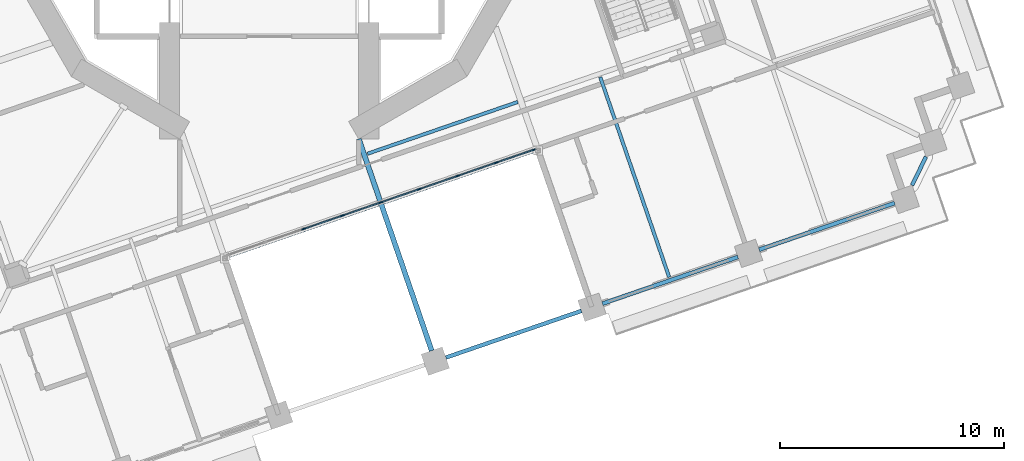
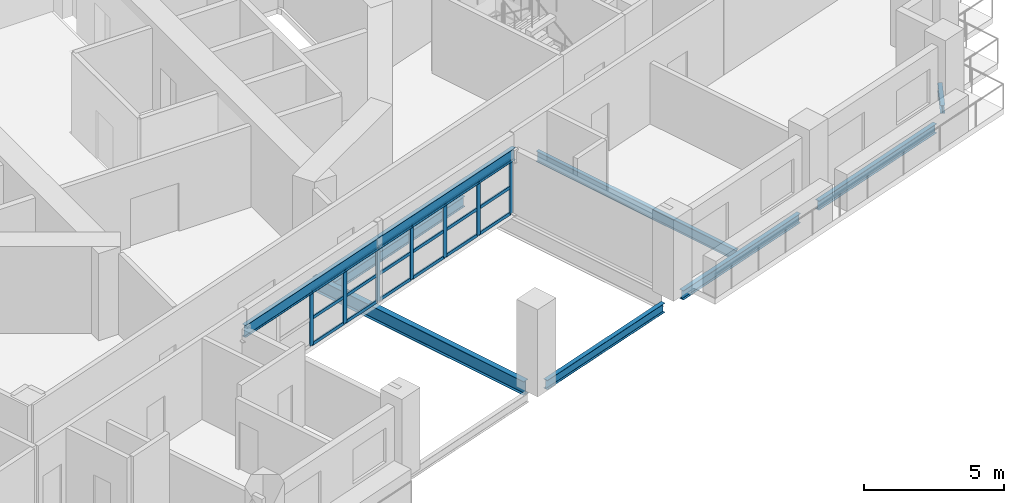
# One storey, part 4 of 22: 25 members, 8 beams, 1 element without a shape of its own.
"""IFC4 building model written with IfcOpenShell, lengths in metres."""

from ifc_helpers import new_model, si_unit, direction, frame, origin, origin_2d, place, context, subcontext, project, spatial, rectangle, i_section, extrude, material, material_profile, profile_set, type_object, element, aggregate, save


model = new_model("IFC4")

# Units and contexts
model_context = context("Model", 3, precision=1e-05, world=origin(), true_north=direction((0.0, 1.0)))
body_context = subcontext(model_context, "Body", "Model", "MODEL_VIEW")
ifc_project = project(units=[si_unit("LENGTHUNIT", "METRE"), si_unit("AREAUNIT", "SQUARE_METRE"), si_unit("VOLUMEUNIT", "CUBIC_METRE"), si_unit("PLANEANGLEUNIT", "RADIAN"), si_unit("MASSUNIT", "GRAM", prefix="KILO")], contexts=[model_context])

# Site, building, storey
site_placement = place(None, origin())
site = spatial("IfcSite", under=ifc_project, at=site_placement, CompositionType="ELEMENT")
building_placement = place(site_placement, origin())
building = spatial("IfcBuilding", under=site, at=building_placement, Name="Cantera Rosa Tower", CompositionType="ELEMENT")
storey_placement = place(building_placement, frame((0.0, 0.0, 104.10009765625)))
storey = spatial("IfcBuildingStorey", under=building, at=storey_placement, Name="L20", CompositionType="ELEMENT", Elevation=104.10009765625)

# Curtain wall, members
ifc_material_1 = material(Name="Aluminium frame with clear glass", Category="aluminium")
curtain_wall_type = type_object("IfcCurtainWallType", Name="CW1 TERRACE POCKET GLAZING", PredefinedType="NOTDEFINED", material=ifc_material_1)
curtain_wall_placement = place(storey_placement, origin())
curtain_wall = element("IfcCurtainWall", 1, at=curtain_wall_placement, inside=storey, type_object=curtain_wall_type, Name="CW1 CW1", PredefinedType="NOTDEFINED")
ifc_material_2 = material(Name="Anodised bronze aluminium", Category="aluminium")
ifc_material_profile_1 = material_profile(ifc_material_2, rectangle(XDim=0.06005859375, YDim=0.179931640625, at=origin_2d()), Name="CW-MULLION 60x180 POCKET")
ifc_profile_set_1 = profile_set([ifc_material_profile_1], Name="Anodised bronze aluminium")
member_type_1 = type_object("IfcMemberType", Name="CW-MULLION 60x180 POCKET", PredefinedType="MULLION", material=ifc_profile_set_1)
member_1_placement = place(storey_placement, frame((1.541748046875, -15.650634765625, 0.0), z_axis=(0.0, 0.0, 1.0), x_axis=(-0.325568154441, 0.945518575605, 0.0)))
member_1 = element("IfcMember", 2, at=member_1_placement, type_object=member_type_1, Name="CW1 mullion 3", PredefinedType="MULLION", context=body_context, shape_type="SweptSolid", body=[
    extrude(rectangle(XDim=0.06005859375, YDim=0.179931640625, at=origin_2d()), origin(), (0.0, 0.0, 1.0), 2.337890625),
])
member_2_placement = place(storey_placement, frame((3.261474609375, -15.05859375, 0.0), z_axis=(0.0, 0.0, 1.0), x_axis=(-0.325568154441, 0.945518575605, 0.0)))
member_2 = element("IfcMember", 3, at=member_2_placement, type_object=member_type_1, Name="CW1 mullion 4", PredefinedType="MULLION", context=body_context, shape_type="SweptSolid", body=[
    extrude(rectangle(XDim=0.06005859375, YDim=0.179931640625, at=origin_2d()), origin(), (0.0, 0.0, 1.0), 2.337890625),
])
member_3_placement = place(storey_placement, frame((4.981201171875, -14.466552734375, 0.0), z_axis=(0.0, 0.0, 1.0), x_axis=(-0.325568154441, 0.945518575605, 0.0)))
member_3 = element("IfcMember", 4, at=member_3_placement, type_object=member_type_1, Name="CW1 mullion 5", PredefinedType="MULLION", context=body_context, shape_type="SweptSolid", body=[
    extrude(rectangle(XDim=0.06005859375, YDim=0.179931640625, at=origin_2d()), origin(), (0.0, 0.0, 1.0), 2.337890625),
])
member_4_placement = place(storey_placement, frame((6.700927734375, -13.874267578125, 0.0), z_axis=(0.0, 0.0, 1.0), x_axis=(-0.325568154441, 0.945518575605, 0.0)))
member_4 = element("IfcMember", 5, at=member_4_placement, type_object=member_type_1, Name="CW1 mullion 6", PredefinedType="MULLION", context=body_context, shape_type="SweptSolid", body=[
    extrude(rectangle(XDim=0.06005859375, YDim=0.179931640625, at=origin_2d()), origin(), (0.0, 0.0, 1.0), 2.337890625),
])
member_5_placement = place(storey_placement, frame((8.42041015625, -13.2822265625, 0.0), z_axis=(0.0, 0.0, 1.0), x_axis=(-0.325568154441, 0.945518575605, 0.0)))
member_5 = element("IfcMember", 6, at=member_5_placement, type_object=member_type_1, Name="CW1 mullion 7", PredefinedType="MULLION", context=body_context, shape_type="SweptSolid", body=[
    extrude(rectangle(XDim=0.06005859375, YDim=0.179931640625, at=origin_2d()), origin(), (0.0, 0.0, 1.0), 2.337890625),
])
member_6_placement = place(storey_placement, frame((10.14013671875, -12.68994140625, 0.0), z_axis=(0.0, 0.0, 1.0), x_axis=(-0.325568154441, 0.945518575605, 0.0)))
member_6 = element("IfcMember", 7, at=member_6_placement, type_object=member_type_1, Name="CW1 mullion 8", PredefinedType="MULLION", context=body_context, shape_type="SweptSolid", body=[
    extrude(rectangle(XDim=0.06005859375, YDim=0.179931640625, at=origin_2d()), origin(), (0.0, 0.0, 1.0), 2.337890625),
])
member_7_placement = place(storey_placement, frame((11.83154296875, -12.107666015625, 0.0), z_axis=(0.0, 0.0, 1.0), x_axis=(-0.325568154441, 0.945518575605, 0.0)))
member_7 = element("IfcMember", 8, at=member_7_placement, type_object=member_type_1, Name="CW1 mullion 9", PredefinedType="MULLION", context=body_context, shape_type="SweptSolid", body=[
    extrude(rectangle(XDim=0.06005859375, YDim=0.179931640625, at=origin_2d()), origin(), (0.0, 0.0, 1.0), 2.337890625),
])
ifc_material_3 = material(Name="Anodised bronze aluminium", Category="aluminium")
ifc_material_profile_2 = material_profile(ifc_material_3, rectangle(XDim=0.06005859375, YDim=0.139892578125, at=origin_2d()), Name="CW-TRANSOM 60x140 POCKET")
ifc_profile_set_2 = profile_set([ifc_material_profile_2], Name="Anodised bronze aluminium")
member_type_2 = type_object("IfcMemberType", Name="CW-TRANSOM 60x140 POCKET", PredefinedType="USERDEFINED", material=ifc_profile_set_2)
member_8_placement = place(storey_placement, frame((1.5703125, -15.640869140625, 0.02978515625), z_axis=(0.945527779058, 0.325541424444, 0.0), x_axis=(-0.325541424444, 0.945527779058, 0.0)))
member_8 = element("IfcMember", 9, at=member_8_placement, type_object=member_type_2, Name="CW1 transom 3.1", ObjectType="TRANSOM", PredefinedType="USERDEFINED", context=body_context, shape_type="SweptSolid", body=[
    extrude(rectangle(XDim=0.06005859375, YDim=0.139892578125, at=origin_2d()), origin(), (0.0, 0.0, 1.0), 1.758544921875),
])
member_9_placement = place(storey_placement, frame((1.5703125, -15.640869140625, 1.1689453125), z_axis=(0.945527779058, 0.325541424444, 0.0), x_axis=(-0.325541424444, 0.945527779058, 0.0)))
member_9 = element("IfcMember", 10, at=member_9_placement, type_object=member_type_2, Name="CW1 transom 3.2", ObjectType="TRANSOM", PredefinedType="USERDEFINED", context=body_context, shape_type="SweptSolid", body=[
    extrude(rectangle(XDim=0.06005859375, YDim=0.139892578125, at=origin_2d()), origin(), (0.0, 0.0, 1.0), 1.758544921875),
])
member_10_placement = place(storey_placement, frame((1.5703125, -15.640869140625, 2.307861328125), z_axis=(0.945527779058, 0.325541424444, 0.0), x_axis=(-0.325541424444, 0.945527779058, 0.0)))
member_10 = element("IfcMember", 11, at=member_10_placement, type_object=member_type_2, Name="CW1 transom 3.3", ObjectType="TRANSOM", PredefinedType="USERDEFINED", context=body_context, shape_type="SweptSolid", body=[
    extrude(rectangle(XDim=0.06005859375, YDim=0.139892578125, at=origin_2d()), origin(), (0.0, 0.0, 1.0), 1.758544921875),
])
member_11_placement = place(storey_placement, frame((3.289794921875, -15.048828125, 0.02978515625), z_axis=(0.945542488305, 0.325498698631, 0.0), x_axis=(-0.325498698631, 0.945542488305, 0.0)))
member_11 = element("IfcMember", 12, at=member_11_placement, type_object=member_type_2, Name="CW1 transom 4.1", ObjectType="TRANSOM", PredefinedType="USERDEFINED", context=body_context, shape_type="SweptSolid", body=[
    extrude(rectangle(XDim=0.06005859375, YDim=0.139892578125, at=origin_2d()), origin(), (0.0, 0.0, 1.0), 1.7587890625),
])
member_12_placement = place(storey_placement, frame((3.289794921875, -15.048828125, 1.1689453125), z_axis=(0.945542488305, 0.325498698631, 0.0), x_axis=(-0.325498698631, 0.945542488305, 0.0)))
member_12 = element("IfcMember", 13, at=member_12_placement, type_object=member_type_2, Name="CW1 transom 4.2", ObjectType="TRANSOM", PredefinedType="USERDEFINED", context=body_context, shape_type="SweptSolid", body=[
    extrude(rectangle(XDim=0.06005859375, YDim=0.139892578125, at=origin_2d()), origin(), (0.0, 0.0, 1.0), 1.7587890625),
])
member_13_placement = place(storey_placement, frame((3.289794921875, -15.048828125, 2.307861328125), z_axis=(0.945542488305, 0.325498698631, 0.0), x_axis=(-0.325498698631, 0.945542488305, 0.0)))
member_13 = element("IfcMember", 14, at=member_13_placement, type_object=member_type_2, Name="CW1 transom 4.3", ObjectType="TRANSOM", PredefinedType="USERDEFINED", context=body_context, shape_type="SweptSolid", body=[
    extrude(rectangle(XDim=0.06005859375, YDim=0.139892578125, at=origin_2d()), origin(), (0.0, 0.0, 1.0), 1.7587890625),
])
member_14_placement = place(storey_placement, frame((5.009521484375, -14.456787109375, 0.02978515625), z_axis=(0.945499761554, 0.325622789284, 0.0), x_axis=(-0.325622789284, 0.945499761554, 0.0)))
member_14 = element("IfcMember", 15, at=member_14_placement, type_object=member_type_2, Name="CW1 transom 5.1", ObjectType="TRANSOM", PredefinedType="USERDEFINED", context=body_context, shape_type="SweptSolid", body=[
    extrude(rectangle(XDim=0.06005859375, YDim=0.139892578125, at=origin_2d()), origin(), (0.0, 0.0, 1.0), 1.759033203125),
])
member_15_placement = place(storey_placement, frame((5.009521484375, -14.456787109375, 1.1689453125), z_axis=(0.945499761554, 0.325622789284, 0.0), x_axis=(-0.325622789284, 0.945499761554, 0.0)))
member_15 = element("IfcMember", 16, at=member_15_placement, type_object=member_type_2, Name="CW1 transom 5.2", ObjectType="TRANSOM", PredefinedType="USERDEFINED", context=body_context, shape_type="SweptSolid", body=[
    extrude(rectangle(XDim=0.06005859375, YDim=0.139892578125, at=origin_2d()), origin(), (0.0, 0.0, 1.0), 1.759033203125),
])
member_16_placement = place(storey_placement, frame((5.009521484375, -14.456787109375, 2.307861328125), z_axis=(0.945499761554, 0.325622789284, 0.0), x_axis=(-0.325622789284, 0.945499761554, 0.0)))
member_16 = element("IfcMember", 17, at=member_16_placement, type_object=member_type_2, Name="CW1 transom 5.3", ObjectType="TRANSOM", PredefinedType="USERDEFINED", context=body_context, shape_type="SweptSolid", body=[
    extrude(rectangle(XDim=0.06005859375, YDim=0.139892578125, at=origin_2d()), origin(), (0.0, 0.0, 1.0), 1.759033203125),
])
member_17_placement = place(storey_placement, frame((6.729248046875, -13.864501953125, 0.02978515625), z_axis=(0.945527779058, 0.325541424444, 0.0), x_axis=(-0.325541424444, 0.945527779058, 0.0)))
member_17 = element("IfcMember", 18, at=member_17_placement, type_object=member_type_2, Name="CW1 transom 6.1", ObjectType="TRANSOM", PredefinedType="USERDEFINED", context=body_context, shape_type="SweptSolid", body=[
    extrude(rectangle(XDim=0.06005859375, YDim=0.139892578125, at=origin_2d()), origin(), (0.0, 0.0, 1.0), 1.758544921875),
])
member_18_placement = place(storey_placement, frame((6.729248046875, -13.864501953125, 1.1689453125), z_axis=(0.945527779058, 0.325541424444, 0.0), x_axis=(-0.325541424444, 0.945527779058, 0.0)))
member_18 = element("IfcMember", 19, at=member_18_placement, type_object=member_type_2, Name="CW1 transom 6.2", ObjectType="TRANSOM", PredefinedType="USERDEFINED", context=body_context, shape_type="SweptSolid", body=[
    extrude(rectangle(XDim=0.06005859375, YDim=0.139892578125, at=origin_2d()), origin(), (0.0, 0.0, 1.0), 1.758544921875),
])
member_19_placement = place(storey_placement, frame((6.729248046875, -13.864501953125, 2.307861328125), z_axis=(0.945527779058, 0.325541424444, 0.0), x_axis=(-0.325541424444, 0.945527779058, 0.0)))
member_19 = element("IfcMember", 20, at=member_19_placement, type_object=member_type_2, Name="CW1 transom 6.3", ObjectType="TRANSOM", PredefinedType="USERDEFINED", context=body_context, shape_type="SweptSolid", body=[
    extrude(rectangle(XDim=0.06005859375, YDim=0.139892578125, at=origin_2d()), origin(), (0.0, 0.0, 1.0), 1.758544921875),
])
member_20_placement = place(storey_placement, frame((8.448974609375, -13.2724609375, 0.02978515625), z_axis=(0.945485041755, 0.325665527523, 0.0), x_axis=(-0.325665527523, 0.945485041755, 0.0)))
member_20 = element("IfcMember", 21, at=member_20_placement, type_object=member_type_2, Name="CW1 transom 7.1", ObjectType="TRANSOM", PredefinedType="USERDEFINED", context=body_context, shape_type="SweptSolid", body=[
    extrude(rectangle(XDim=0.06005859375, YDim=0.139892578125, at=origin_2d()), origin(), (0.0, 0.0, 1.0), 1.7587890625),
])
member_21_placement = place(storey_placement, frame((8.448974609375, -13.2724609375, 1.1689453125), z_axis=(0.945485041755, 0.325665527523, 0.0), x_axis=(-0.325665527523, 0.945485041755, 0.0)))
member_21 = element("IfcMember", 22, at=member_21_placement, type_object=member_type_2, Name="CW1 transom 7.2", ObjectType="TRANSOM", PredefinedType="USERDEFINED", context=body_context, shape_type="SweptSolid", body=[
    extrude(rectangle(XDim=0.06005859375, YDim=0.139892578125, at=origin_2d()), origin(), (0.0, 0.0, 1.0), 1.7587890625),
])
member_22_placement = place(storey_placement, frame((8.448974609375, -13.2724609375, 2.307861328125), z_axis=(0.945485041755, 0.325665527523, 0.0), x_axis=(-0.325665527523, 0.945485041755, 0.0)))
member_22 = element("IfcMember", 23, at=member_22_placement, type_object=member_type_2, Name="CW1 transom 7.3", ObjectType="TRANSOM", PredefinedType="USERDEFINED", context=body_context, shape_type="SweptSolid", body=[
    extrude(rectangle(XDim=0.06005859375, YDim=0.139892578125, at=origin_2d()), origin(), (0.0, 0.0, 1.0), 1.7587890625),
])
member_23_placement = place(storey_placement, frame((10.16845703125, -12.68017578125, 0.02978515625), z_axis=(0.945545423079, 0.325490173267, 0.0), x_axis=(-0.325490173267, 0.945545423079, 0.0)))
member_23 = element("IfcMember", 24, at=member_23_placement, type_object=member_type_2, Name="CW1 transom 8.1", ObjectType="TRANSOM", PredefinedType="USERDEFINED", context=body_context, shape_type="SweptSolid", body=[
    extrude(rectangle(XDim=0.06005859375, YDim=0.139892578125, at=origin_2d()), origin(), (0.0, 0.0, 1.0), 1.72900390625),
])
member_24_placement = place(storey_placement, frame((10.16845703125, -12.68017578125, 1.1689453125), z_axis=(0.945545423079, 0.325490173267, 0.0), x_axis=(-0.325490173267, 0.945545423079, 0.0)))
member_24 = element("IfcMember", 25, at=member_24_placement, type_object=member_type_2, Name="CW1 transom 8.2", ObjectType="TRANSOM", PredefinedType="USERDEFINED", context=body_context, shape_type="SweptSolid", body=[
    extrude(rectangle(XDim=0.06005859375, YDim=0.139892578125, at=origin_2d()), origin(), (0.0, 0.0, 1.0), 1.72900390625),
])
member_25_placement = place(storey_placement, frame((10.16845703125, -12.68017578125, 2.307861328125), z_axis=(0.945545423079, 0.325490173267, 0.0), x_axis=(-0.325490173267, 0.945545423079, 0.0)))
member_25 = element("IfcMember", 26, at=member_25_placement, type_object=member_type_2, Name="CW1 transom 8.3", ObjectType="TRANSOM", PredefinedType="USERDEFINED", context=body_context, shape_type="SweptSolid", body=[
    extrude(rectangle(XDim=0.06005859375, YDim=0.139892578125, at=origin_2d()), origin(), (0.0, 0.0, 1.0), 1.72900390625),
])
aggregate(curtain_wall, [member_1, member_2, member_3, member_4, member_5, member_6, member_7, member_8, member_9, member_10, member_11, member_12, member_13, member_14, member_15, member_16, member_17, member_18, member_19, member_20, member_21, member_22, member_23, member_24, member_25])

# Beams
ifc_material_4 = material(Name="Steel ASTM A992 (Fy 345 MPa)", Category="steel")
ifc_material_profile_3 = material_profile(ifc_material_4, i_section(OverallWidth=0.154052734375, OverallDepth=0.4599609375, WebThickness=0.009033203125, FlangeThickness=0.015380859375, FilletRadius=0.01025390625, at=origin_2d()), Name="W460X68")
ifc_profile_set_3 = profile_set([ifc_material_profile_3], Name="Steel ASTM A992 (Fy 345 MPa)")
beam_type_1 = type_object("IfcBeamType", Name="STEEL BEAM W460X68", PredefinedType="BEAM", material=ifc_profile_set_3)
beam_1_placement = place(storey_placement, frame((4.390380859375, -12.290283203125, -0.47998046875), z_axis=(0.9455219702, 0.325558295653, 0.0), x_axis=(-0.325558295653, 0.9455219702, 0.0)))
element("IfcBeam", 27, at=beam_1_placement, inside=storey, type_object=beam_type_1, Name="RB-Z2-07 L20", PredefinedType="BEAM", context=body_context, shape_type="SweptSolid", body=[
    extrude(i_section(OverallWidth=0.154052734375, OverallDepth=0.4599609375, WebThickness=0.009033203125, FlangeThickness=0.015380859375, FilletRadius=0.01025390625, at=origin_2d()), origin(), (0.0, 0.0, 1.0), 7.10009765625),
])
ifc_material_5 = material(Name="Steel ASTM A992 (Fy 345 MPa)", Category="steel")
ifc_material_profile_4 = material_profile(ifc_material_5, i_section(OverallWidth=0.166015625, OverallDepth=0.528076171875, WebThickness=0.009765625, FlangeThickness=0.013671875, FilletRadius=0.0126953125, at=origin_2d()), Name="W530X74")
ifc_profile_set_4 = profile_set([ifc_material_profile_4], Name="Steel ASTM A992 (Fy 345 MPa)")
beam_type_2 = type_object("IfcBeamType", Name="STEEL BEAM W530X74", PredefinedType="BEAM", material=ifc_profile_set_4)
beam_2_placement = place(storey_placement, frame((-1.9521484375, -16.906494140625, 2.60400390625), z_axis=(0.945523255262, 0.325554563413, 0.0), x_axis=(-0.325554563413, 0.945523255262, 0.0)))
element("IfcBeam", 28, at=beam_2_placement, inside=storey, type_object=beam_type_2, Name="LINTEL SL-L20", PredefinedType="BEAM", context=body_context, shape_type="SweptSolid", body=[
    extrude(i_section(OverallWidth=0.166015625, OverallDepth=0.528076171875, WebThickness=0.009765625, FlangeThickness=0.013671875, FilletRadius=0.0126953125, at=origin_2d()), origin(), (0.0, 0.0, 1.0), 14.699951171875),
])
ifc_material_6 = material(Name="Steel ASTM A992 (Fy 345 MPa)", Category="steel")
ifc_material_profile_5 = material_profile(ifc_material_6, i_section(OverallWidth=0.22802734375, OverallDepth=0.60205078125, WebThickness=0.010498046875, FlangeThickness=0.014892578125, FilletRadius=0.0126953125, at=origin_2d()), Name="W610X101")
ifc_profile_set_5 = profile_set([ifc_material_profile_5], Name="Steel ASTM A992 (Fy 345 MPa)")
beam_type_3 = type_object("IfcBeamType", Name="STEEL BEAM W610X101", PredefinedType="BEAM", material=ifc_profile_set_5)
beam_3_placement = place(storey_placement, frame((7.26025390625, -21.0849609375, -0.551025390625), z_axis=(-0.325587365823, 0.945511960377, 0.0), x_axis=(-0.945511960377, -0.325587365823, 0.0)))
element("IfcBeam", 29, at=beam_3_placement, inside=storey, type_object=beam_type_3, Name="G-Z2-12 L20", PredefinedType="BEAM", context=body_context, shape_type="SweptSolid", body=[
    extrude(i_section(OverallWidth=0.22802734375, OverallDepth=0.60205078125, WebThickness=0.010498046875, FlangeThickness=0.014892578125, FilletRadius=0.0126953125, at=origin_2d()), origin(), (0.0, 0.0, 1.0), 10.0),
])
ifc_material_7 = material(Name="Steel ASTM A992 (Fy 345 MPa)", Category="steel")
ifc_material_profile_6 = material_profile(ifc_material_7, i_section(OverallWidth=0.154052734375, OverallDepth=0.4599609375, WebThickness=0.009033203125, FlangeThickness=0.015380859375, FilletRadius=0.01025390625, at=origin_2d()), Name="W460X68")
ifc_profile_set_6 = profile_set([ifc_material_profile_6], Name="Steel ASTM A992 (Fy 345 MPa)")
beam_type_4 = type_object("IfcBeamType", Name="STEEL JOIST W460X68", PredefinedType="JOIST", material=ifc_profile_set_6)
beam_4_placement = place(storey_placement, frame((17.869384765625, -17.80224609375, -0.47998046875), z_axis=(-0.325567084667, 0.945518943957, 0.0), x_axis=(-0.945518943957, -0.325567084667, 0.0)))
element("IfcBeam", 30, at=beam_4_placement, inside=storey, type_object=beam_type_4, Name="B-Z2-16 L20", PredefinedType="JOIST", context=body_context, shape_type="SweptSolid", body=[
    extrude(i_section(OverallWidth=0.154052734375, OverallDepth=0.4599609375, WebThickness=0.009033203125, FlangeThickness=0.015380859375, FilletRadius=0.01025390625, at=origin_2d()), origin(), (0.0, 0.0, 1.0), 9.4501953125),
])
ifc_material_8 = material(Name="Steel ASTM A992 (Fy 345 MPa)", Category="steel")
ifc_material_profile_7 = material_profile(ifc_material_8, i_section(OverallWidth=0.1708984375, OverallDepth=0.35595703125, WebThickness=0.00732421875, FlangeThickness=0.01171875, FilletRadius=0.010009765625, at=origin_2d()), Name="W360X51")
ifc_profile_set_7 = profile_set([ifc_material_profile_7], Name="Steel ASTM A992 (Fy 345 MPa)")
beam_type_5 = type_object("IfcBeamType", Name="STEEL SPANDREL BEAM W360X51", PredefinedType="SPANDREL", material=ifc_profile_set_7)
beam_5_placement = place(storey_placement, frame((28.723388671875, -13.694580078125, -0.427978515625), z_axis=(0.438491655897, 0.898735260079, 0.0), x_axis=(-0.898735260079, 0.438491655897, 0.0)))
element("IfcBeam", 31, at=beam_5_placement, inside=storey, type_object=beam_type_5, Name="EB-Z2-29 L20", PredefinedType="SPANDREL", context=body_context, shape_type="SweptSolid", body=[
    extrude(i_section(OverallWidth=0.1708984375, OverallDepth=0.35595703125, WebThickness=0.00732421875, FlangeThickness=0.01171875, FilletRadius=0.010009765625, at=origin_2d()), origin(), (0.0, 0.0, 1.0), 1.414306640625),
])
ifc_material_9 = material(Name="Steel ASTM A992 (Fy 345 MPa)", Category="steel")
ifc_material_profile_8 = material_profile(ifc_material_9, i_section(OverallWidth=0.177978515625, OverallDepth=0.406005859375, WebThickness=0.0078125, FlangeThickness=0.0126953125, FilletRadius=0.01025390625, at=origin_2d()), Name="W410X60")
ifc_profile_set_8 = profile_set([ifc_material_profile_8], Name="Steel ASTM A992 (Fy 345 MPa)")
beam_type_6 = type_object("IfcBeamType", Name="STEEL SPANDREL BEAM W410X60", PredefinedType="SPANDREL", material=ifc_profile_set_8)
for number, where, z_axis, x_axis, name in (
    (32, (7.895751953125, -21.39501953125, -0.453125), (0.945524496524, 0.325550958337, 0.0), (-0.325550958337, 0.945524496524, 0.0), "EB-Z2-26 L20"),
    (33, (14.892578125, -18.98583984375, -0.453125), (0.945512753621, 0.325585062219, 0.0), (-0.325585062219, 0.945512753621, 0.0), "EB-Z2-27 L20"),
    (34, (21.889404296875, -16.57666015625, -0.453125), (0.945512753621, 0.325585062219, 0.0), (-0.325585062219, 0.945512753621, 0.0), "EB-Z2-28 L20"),
):
    element("IfcBeam", number, at=place(storey_placement, frame(where, z_axis=z_axis, x_axis=x_axis)), inside=storey, type_object=beam_type_6, Name=name, PredefinedType="SPANDREL", context=body_context, shape_type="SweptSolid", body=[
        extrude(i_section(OverallWidth=0.177978515625, OverallDepth=0.406005859375, WebThickness=0.0078125, FlangeThickness=0.0126953125, FilletRadius=0.01025390625, at=origin_2d()), origin(), (0.0, 0.0, 1.0), 6.39990234375),
    ])

save(model, "model.ifc")
